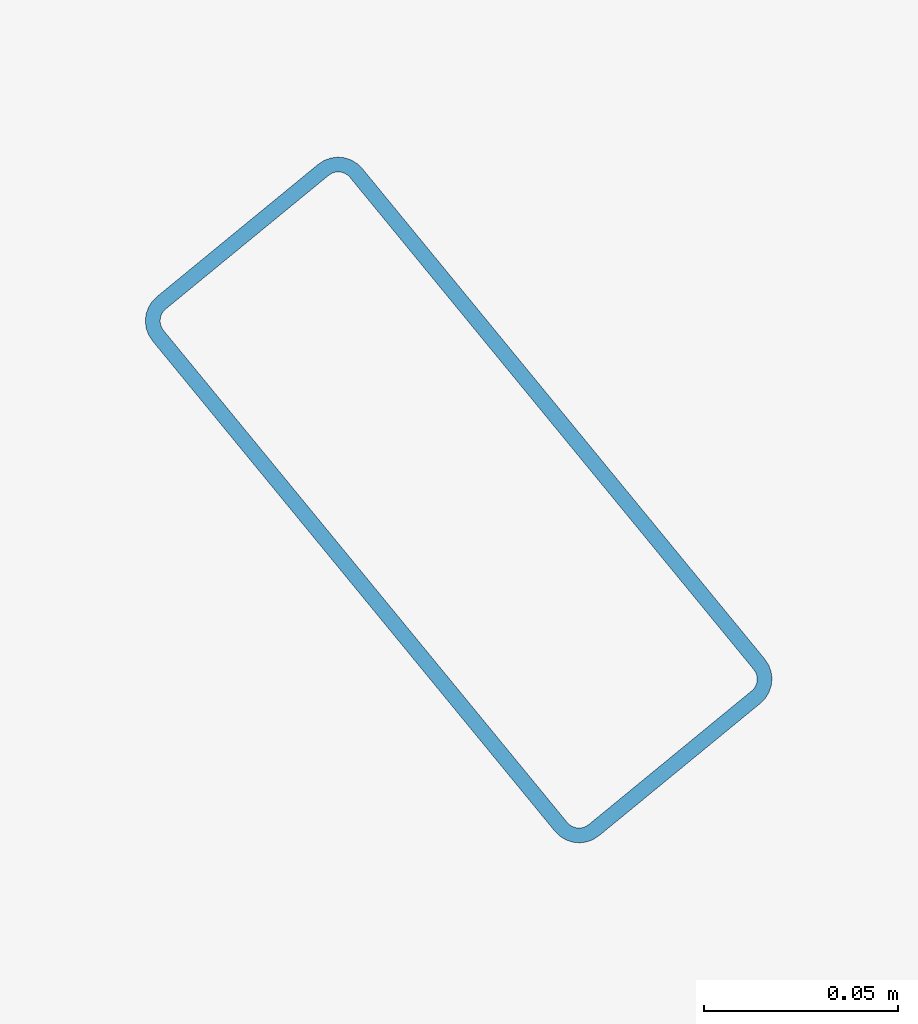
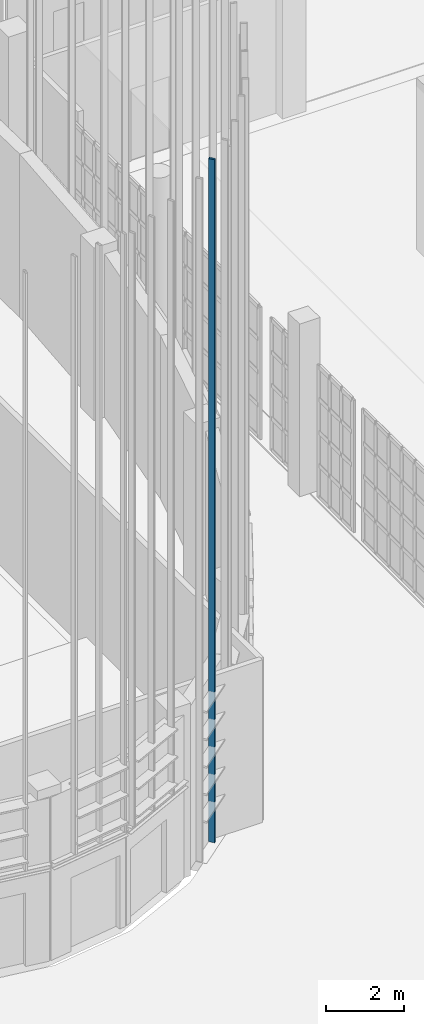
# One storey, part 184 of 372: 1 member.
"""IFC4 building model written with IfcOpenShell, lengths in metres."""

from ifc_helpers import new_model, si_unit, direction, frame, origin, origin_2d, place, context, subcontext, project, spatial, hollow_rectangle, extrude, material, material_profile, profile_set, type_object, element, save


model = new_model("IFC4")

# Units and contexts
model_context = context("Model", 3, precision=1e-05, world=origin(), true_north=direction((0.0, 1.0)))
body_context = subcontext(model_context, "Body", "Model", "MODEL_VIEW")
ifc_project = project(units=[si_unit("LENGTHUNIT", "METRE"), si_unit("AREAUNIT", "SQUARE_METRE"), si_unit("VOLUMEUNIT", "CUBIC_METRE"), si_unit("PLANEANGLEUNIT", "RADIAN"), si_unit("MASSUNIT", "GRAM", prefix="KILO")], contexts=[model_context])

# Site, building, storey
site_placement = place(None, origin())
site = spatial("IfcSite", under=ifc_project, at=site_placement, CompositionType="ELEMENT")
building_placement = place(site_placement, origin())
building = spatial("IfcBuilding", under=site, at=building_placement, Name="Kaelora Sail Theatre", CompositionType="ELEMENT")
storey_placement = place(building_placement, origin())
storey = spatial("IfcBuildingStorey", under=building, at=storey_placement, Name="L00", CompositionType="ELEMENT", Elevation=0.0)

# Member
ifc_material = material(Name="Anodised aluminium 6063-T6", Category="aluminium")
ifc_material_profile = material_profile(ifc_material, hollow_rectangle(XDim=0.070068359375, YDim=0.179931640625, WallThickness=0.00390625, InnerFilletRadius=0.00390625, OuterFilletRadius=0.008056640625, at=origin_2d()), Name="ALU-MULL 70x180x4")
ifc_profile_set = profile_set([ifc_material_profile], Name="Anodised aluminium 6063-T6")
member_type = type_object("IfcMemberType", Name="ARC-MEM-PST-160", PredefinedType="POST", material=ifc_profile_set)
member_placement = place(storey_placement, frame((96.85693359375, 33.62939453125, 0.0), z_axis=(0.0, 0.0, 1.0), x_axis=(-0.773065811677, -0.63432582386, 0.0)))
element("IfcMember", 1, at=member_placement, inside=storey, type_object=member_type, Name="Studio Theatre Sail Drum solar louvre vertical support post C8-2", PredefinedType="POST", context=body_context, shape_type="SweptSolid", body=[
    extrude(hollow_rectangle(XDim=0.070068359375, YDim=0.179931640625, WallThickness=0.00390625, InnerFilletRadius=0.00390625, OuterFilletRadius=0.008056640625, at=origin_2d()), origin(), (0.0, 0.0, 1.0), 21.35986328125),
])

save(model, "model.ifc")
